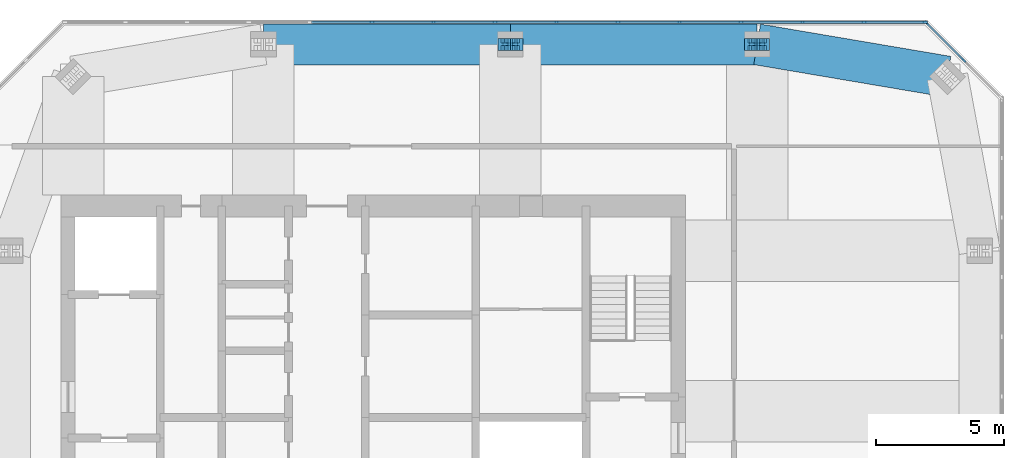
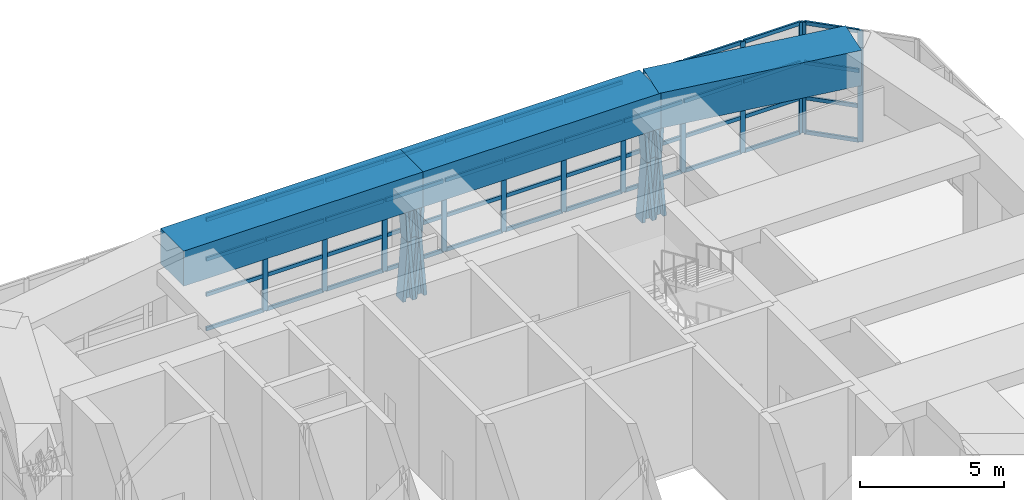
# One storey, part 7 of 14: 64 members, 3 beams, 2 elements without a shape of their own.
"""IFC4 building model written with IfcOpenShell, lengths in metres."""

from ifc_helpers import new_model, si_unit, direction, frame, origin, origin_2d, place, context, subcontext, project, spatial, rectangle, i_section, extrude, material, material_profile, profile_set, type_object, element, aggregate, save


model = new_model("IFC4")

# Units and contexts
model_context = context("Model", 3, precision=1e-05, world=origin(), true_north=direction((0.0, 1.0)))
body_context = subcontext(model_context, "Body", "Model", "MODEL_VIEW")
ifc_project = project(units=[si_unit("LENGTHUNIT", "METRE"), si_unit("AREAUNIT", "SQUARE_METRE"), si_unit("VOLUMEUNIT", "CUBIC_METRE"), si_unit("PLANEANGLEUNIT", "RADIAN"), si_unit("MASSUNIT", "GRAM", prefix="KILO")], contexts=[model_context])

# Site, building, storey
site_placement = place(None, origin())
site = spatial("IfcSite", under=ifc_project, at=site_placement, CompositionType="ELEMENT")
building_placement = place(site_placement, origin())
building = spatial("IfcBuilding", under=site, at=building_placement, Name="Jalousie Tower", CompositionType="ELEMENT")
storey_placement = place(building_placement, frame((0.0, 0.0, 272.75)))
storey = spatial("IfcBuildingStorey", under=building, at=storey_placement, Name="L74", CompositionType="ELEMENT", Elevation=272.75)

# Curtain wall, members
ifc_material_1 = material(Name="Aluminium curtain wall", Category="aluminium")
curtain_wall_type = type_object("IfcCurtainWallType", Name="CROWN LOUVRE WALL", PredefinedType="USERDEFINED", material=ifc_material_1)
curtain_wall_1_placement = place(storey_placement, origin())
curtain_wall_1 = element("IfcCurtainWall", 1, at=curtain_wall_1_placement, inside=storey, type_object=curtain_wall_type, Name="Crown Louvre Wall L74 4", ObjectType="CROWN LOUVRE WALL", PredefinedType="USERDEFINED")
ifc_material_2 = material(Name="Aluminium mullion", Category="aluminium")
ifc_material_profile_1 = material_profile(ifc_material_2, rectangle(XDim=0.080078125, YDim=0.199951171875, at=origin_2d()), Name="MULLION 80x200")
ifc_profile_set_1 = profile_set([ifc_material_profile_1], Name="Aluminium mullion")
member_type_1 = type_object("IfcMemberType", Name="CROWN LOUVRE WALL MULLION", PredefinedType="MULLION", material=ifc_profile_set_1)
member_1_placement = place(storey_placement, frame((54.9306640625, 32.4306640625, 0.0), z_axis=(0.0, 0.0, 1.0), x_axis=(-0.707106781187, -0.707106781187, 0.0)))
member_1 = element("IfcMember", 2, at=member_1_placement, type_object=member_type_1, Name="CW-L mullion 2", PredefinedType="MULLION", context=body_context, shape_type="SweptSolid", body=[
    extrude(rectangle(XDim=0.080078125, YDim=0.199951171875, at=origin_2d()), origin(), (0.0, 0.0, 1.0), 4.719970703125),
])
member_2_placement = place(storey_placement, frame((53.47705078125, 33.88427734375, 0.0), z_axis=(0.0, 0.0, 1.0), x_axis=(-0.707106781187, -0.707106781187, 0.0)))
member_2 = element("IfcMember", 3, at=member_2_placement, type_object=member_type_1, Name="CW-L mullion 3", PredefinedType="MULLION", context=body_context, shape_type="SweptSolid", body=[
    extrude(rectangle(XDim=0.080078125, YDim=0.199951171875, at=origin_2d()), origin(), (0.0, 0.0, 1.0), 4.719970703125),
])

curtain_wall_2_placement = place(storey_placement, origin())
curtain_wall_2 = element("IfcCurtainWall", 4, at=curtain_wall_2_placement, inside=storey, type_object=curtain_wall_type, Name="Crown Louvre Wall L74 5", ObjectType="CROWN LOUVRE WALL", PredefinedType="USERDEFINED")
member_3_placement = place(storey_placement, frame((53.40869140625, 33.91259765625, 0.0), z_axis=(0.0, 0.0, 1.0), x_axis=(0.0, -1.0, 0.0)))
member_3 = element("IfcMember", 5, at=member_3_placement, type_object=member_type_1, Name="CW-L mullion 1", PredefinedType="MULLION", context=body_context, shape_type="SweptSolid", body=[
    extrude(rectangle(XDim=0.080078125, YDim=0.199951171875, at=origin_2d()), origin(), (0.0, 0.0, 1.0), 4.719970703125),
])
member_4_placement = place(storey_placement, frame((51.048828125, 33.91259765625, 0.0), z_axis=(0.0, 0.0, 1.0), x_axis=(0.0, -1.0, 0.0)))
member_4 = element("IfcMember", 6, at=member_4_placement, type_object=member_type_1, Name="CW-L mullion 2", PredefinedType="MULLION", context=body_context, shape_type="SweptSolid", body=[
    extrude(rectangle(XDim=0.080078125, YDim=0.199951171875, at=origin_2d()), origin(), (0.0, 0.0, 1.0), 4.719970703125),
])
member_5_placement = place(storey_placement, frame((48.649169921875, 33.91259765625, 0.0), z_axis=(0.0, 0.0, 1.0), x_axis=(0.0, -1.0, 0.0)))
member_5 = element("IfcMember", 7, at=member_5_placement, type_object=member_type_1, Name="CW-L mullion 3", PredefinedType="MULLION", context=body_context, shape_type="SweptSolid", body=[
    extrude(rectangle(XDim=0.080078125, YDim=0.199951171875, at=origin_2d()), origin(), (0.0, 0.0, 1.0), 4.719970703125),
])
member_6_placement = place(storey_placement, frame((46.249267578125, 33.91259765625, 0.0), z_axis=(0.0, 0.0, 1.0), x_axis=(0.0, -1.0, 0.0)))
member_6 = element("IfcMember", 8, at=member_6_placement, type_object=member_type_1, Name="CW-L mullion 4", PredefinedType="MULLION", context=body_context, shape_type="SweptSolid", body=[
    extrude(rectangle(XDim=0.080078125, YDim=0.199951171875, at=origin_2d()), origin(), (0.0, 0.0, 1.0), 4.719970703125),
])
member_7_placement = place(storey_placement, frame((43.849365234375, 33.91259765625, 0.0), z_axis=(0.0, 0.0, 1.0), x_axis=(0.0, -1.0, 0.0)))
member_7 = element("IfcMember", 9, at=member_7_placement, type_object=member_type_1, Name="CW-L mullion 5", PredefinedType="MULLION", context=body_context, shape_type="SweptSolid", body=[
    extrude(rectangle(XDim=0.080078125, YDim=0.199951171875, at=origin_2d()), origin(), (0.0, 0.0, 1.0), 4.719970703125),
])
member_8_placement = place(storey_placement, frame((41.44970703125, 33.91259765625, 0.0), z_axis=(0.0, 0.0, 1.0), x_axis=(0.0, -1.0, 0.0)))
member_8 = element("IfcMember", 10, at=member_8_placement, type_object=member_type_1, Name="CW-L mullion 6", PredefinedType="MULLION", context=body_context, shape_type="SweptSolid", body=[
    extrude(rectangle(XDim=0.080078125, YDim=0.199951171875, at=origin_2d()), origin(), (0.0, 0.0, 1.0), 4.719970703125),
])
member_9_placement = place(storey_placement, frame((39.0498046875, 33.91259765625, 0.0), z_axis=(0.0, 0.0, 1.0), x_axis=(0.0, -1.0, 0.0)))
member_9 = element("IfcMember", 11, at=member_9_placement, type_object=member_type_1, Name="CW-L mullion 7", PredefinedType="MULLION", context=body_context, shape_type="SweptSolid", body=[
    extrude(rectangle(XDim=0.080078125, YDim=0.199951171875, at=origin_2d()), origin(), (0.0, 0.0, 1.0), 4.719970703125),
])
member_10_placement = place(storey_placement, frame((36.64990234375, 33.91259765625, 0.0), z_axis=(0.0, 0.0, 1.0), x_axis=(0.0, -1.0, 0.0)))
member_10 = element("IfcMember", 12, at=member_10_placement, type_object=member_type_1, Name="CW-L mullion 8", PredefinedType="MULLION", context=body_context, shape_type="SweptSolid", body=[
    extrude(rectangle(XDim=0.080078125, YDim=0.199951171875, at=origin_2d()), origin(), (0.0, 0.0, 1.0), 4.719970703125),
])
member_11_placement = place(storey_placement, frame((34.250244140625, 33.91259765625, 0.0), z_axis=(0.0, 0.0, 1.0), x_axis=(0.0, -1.0, 0.0)))
member_11 = element("IfcMember", 13, at=member_11_placement, type_object=member_type_1, Name="CW-L mullion 9", PredefinedType="MULLION", context=body_context, shape_type="SweptSolid", body=[
    extrude(rectangle(XDim=0.080078125, YDim=0.199951171875, at=origin_2d()), origin(), (0.0, 0.0, 1.0), 4.719970703125),
])
member_12_placement = place(storey_placement, frame((31.850341796875, 33.91259765625, 0.0), z_axis=(0.0, 0.0, 1.0), x_axis=(0.0, -1.0, 0.0)))
member_12 = element("IfcMember", 14, at=member_12_placement, type_object=member_type_1, Name="CW-L mullion 10", PredefinedType="MULLION", context=body_context, shape_type="SweptSolid", body=[
    extrude(rectangle(XDim=0.080078125, YDim=0.199951171875, at=origin_2d()), origin(), (0.0, 0.0, 1.0), 4.719970703125),
])

# Member
ifc_material_3 = material(Name="Aluminium transom", Category="aluminium")
ifc_material_profile_2 = material_profile(ifc_material_3, rectangle(XDim=0.080078125, YDim=0.159912109375, at=origin_2d()), Name="TRANSOM 80x160")
ifc_profile_set_2 = profile_set([ifc_material_profile_2], Name="Aluminium transom")
member_type_2 = type_object("IfcMemberType", Name="CROWN LOUVRE WALL TRANSOM", PredefinedType="USERDEFINED", material=ifc_profile_set_2)
member_13_placement = place(storey_placement, frame((54.90234375, 32.458984375, 0.0400390625), z_axis=(-0.707106781187, 0.707106781187, 0.0), x_axis=(-0.707106781187, -0.707106781187, 0.0)))
member_13 = element("IfcMember", 15, at=member_13_placement, type_object=member_type_2, Name="CW-L transom 2.1", ObjectType="TRANSOM", PredefinedType="USERDEFINED", context=body_context, shape_type="SweptSolid", body=[
    extrude(rectangle(XDim=0.080078125, YDim=0.159912109375, at=origin_2d()), origin(), (0.0, 0.0, 1.0), 1.9755859375),
])

member_14_placement = place(storey_placement, frame((54.90234375, 32.458984375, 1.5), z_axis=(-0.707106781187, 0.707106781187, 0.0), x_axis=(-0.707106781187, -0.707106781187, 0.0)))
member_14 = element("IfcMember", 16, at=member_14_placement, type_object=member_type_2, Name="CW-L transom 2.2", ObjectType="TRANSOM", PredefinedType="USERDEFINED", context=body_context, shape_type="SweptSolid", body=[
    extrude(rectangle(XDim=0.080078125, YDim=0.159912109375, at=origin_2d()), origin(), (0.0, 0.0, 1.0), 1.9755859375),
])

member_15_placement = place(storey_placement, frame((54.90234375, 32.458984375, 3.0), z_axis=(-0.707106781187, 0.707106781187, 0.0), x_axis=(-0.707106781187, -0.707106781187, 0.0)))
member_15 = element("IfcMember", 17, at=member_15_placement, type_object=member_type_2, Name="CW-L transom 2.3", ObjectType="TRANSOM", PredefinedType="USERDEFINED", context=body_context, shape_type="SweptSolid", body=[
    extrude(rectangle(XDim=0.080078125, YDim=0.159912109375, at=origin_2d()), origin(), (0.0, 0.0, 1.0), 1.9755859375),
])

member_16_placement = place(storey_placement, frame((54.90234375, 32.458984375, 4.679931640625), z_axis=(-0.707106781187, 0.707106781187, 0.0), x_axis=(-0.707106781187, -0.707106781187, 0.0)))
member_16 = element("IfcMember", 18, at=member_16_placement, type_object=member_type_2, Name="CW-L transom 2.4", ObjectType="TRANSOM", PredefinedType="USERDEFINED", context=body_context, shape_type="SweptSolid", body=[
    extrude(rectangle(XDim=0.080078125, YDim=0.159912109375, at=origin_2d()), origin(), (0.0, 0.0, 1.0), 1.9755859375),
])

aggregate(curtain_wall_1, [member_1, member_2, member_13, member_14, member_15, member_16])

member_17_placement = place(storey_placement, frame((53.36865234375, 33.91259765625, 0.0400390625), z_axis=(-1.0, 0.0, 0.0), x_axis=(0.0, -1.0, 0.0)))
member_17 = element("IfcMember", 19, at=member_17_placement, type_object=member_type_2, Name="CW-L transom 1.1", ObjectType="TRANSOM", PredefinedType="USERDEFINED", context=body_context, shape_type="SweptSolid", body=[
    extrude(rectangle(XDim=0.080078125, YDim=0.159912109375, at=origin_2d()), origin(), (0.0, 0.0, 1.0), 2.27978515625),
])

member_18_placement = place(storey_placement, frame((53.36865234375, 33.91259765625, 1.5), z_axis=(-1.0, 0.0, 0.0), x_axis=(0.0, -1.0, 0.0)))
member_18 = element("IfcMember", 20, at=member_18_placement, type_object=member_type_2, Name="CW-L transom 1.2", ObjectType="TRANSOM", PredefinedType="USERDEFINED", context=body_context, shape_type="SweptSolid", body=[
    extrude(rectangle(XDim=0.080078125, YDim=0.159912109375, at=origin_2d()), origin(), (0.0, 0.0, 1.0), 2.27978515625),
])

member_19_placement = place(storey_placement, frame((53.36865234375, 33.91259765625, 3.0), z_axis=(-1.0, 0.0, 0.0), x_axis=(0.0, -1.0, 0.0)))
member_19 = element("IfcMember", 21, at=member_19_placement, type_object=member_type_2, Name="CW-L transom 1.3", ObjectType="TRANSOM", PredefinedType="USERDEFINED", context=body_context, shape_type="SweptSolid", body=[
    extrude(rectangle(XDim=0.080078125, YDim=0.159912109375, at=origin_2d()), origin(), (0.0, 0.0, 1.0), 2.27978515625),
])

member_20_placement = place(storey_placement, frame((53.36865234375, 33.91259765625, 4.679931640625), z_axis=(-1.0, 0.0, 0.0), x_axis=(0.0, -1.0, 0.0)))
member_20 = element("IfcMember", 22, at=member_20_placement, type_object=member_type_2, Name="CW-L transom 1.4", ObjectType="TRANSOM", PredefinedType="USERDEFINED", context=body_context, shape_type="SweptSolid", body=[
    extrude(rectangle(XDim=0.080078125, YDim=0.159912109375, at=origin_2d()), origin(), (0.0, 0.0, 1.0), 2.27978515625),
])

member_21_placement = place(storey_placement, frame((51.0087890625, 33.91259765625, 0.0400390625), z_axis=(-1.0, 0.0, 0.0), x_axis=(0.0, -1.0, 0.0)))
member_21 = element("IfcMember", 23, at=member_21_placement, type_object=member_type_2, Name="CW-L transom 2.1", ObjectType="TRANSOM", PredefinedType="USERDEFINED", context=body_context, shape_type="SweptSolid", body=[
    extrude(rectangle(XDim=0.080078125, YDim=0.159912109375, at=origin_2d()), origin(), (0.0, 0.0, 1.0), 2.31982421875),
])

member_22_placement = place(storey_placement, frame((51.0087890625, 33.91259765625, 1.5), z_axis=(-1.0, 0.0, 0.0), x_axis=(0.0, -1.0, 0.0)))
member_22 = element("IfcMember", 24, at=member_22_placement, type_object=member_type_2, Name="CW-L transom 2.2", ObjectType="TRANSOM", PredefinedType="USERDEFINED", context=body_context, shape_type="SweptSolid", body=[
    extrude(rectangle(XDim=0.080078125, YDim=0.159912109375, at=origin_2d()), origin(), (0.0, 0.0, 1.0), 2.31982421875),
])

member_23_placement = place(storey_placement, frame((51.0087890625, 33.91259765625, 3.0), z_axis=(-1.0, 0.0, 0.0), x_axis=(0.0, -1.0, 0.0)))
member_23 = element("IfcMember", 25, at=member_23_placement, type_object=member_type_2, Name="CW-L transom 2.3", ObjectType="TRANSOM", PredefinedType="USERDEFINED", context=body_context, shape_type="SweptSolid", body=[
    extrude(rectangle(XDim=0.080078125, YDim=0.159912109375, at=origin_2d()), origin(), (0.0, 0.0, 1.0), 2.31982421875),
])

member_24_placement = place(storey_placement, frame((51.0087890625, 33.91259765625, 4.679931640625), z_axis=(-1.0, 0.0, 0.0), x_axis=(0.0, -1.0, 0.0)))
member_24 = element("IfcMember", 26, at=member_24_placement, type_object=member_type_2, Name="CW-L transom 2.4", ObjectType="TRANSOM", PredefinedType="USERDEFINED", context=body_context, shape_type="SweptSolid", body=[
    extrude(rectangle(XDim=0.080078125, YDim=0.159912109375, at=origin_2d()), origin(), (0.0, 0.0, 1.0), 2.31982421875),
])

member_25_placement = place(storey_placement, frame((48.609130859375, 33.91259765625, 0.0400390625), z_axis=(-1.0, 0.0, 0.0), x_axis=(0.0, -1.0, 0.0)))
member_25 = element("IfcMember", 27, at=member_25_placement, type_object=member_type_2, Name="CW-L transom 3.1", ObjectType="TRANSOM", PredefinedType="USERDEFINED", context=body_context, shape_type="SweptSolid", body=[
    extrude(rectangle(XDim=0.080078125, YDim=0.159912109375, at=origin_2d()), origin(), (0.0, 0.0, 1.0), 2.31982421875),
])

member_26_placement = place(storey_placement, frame((48.609130859375, 33.91259765625, 1.5), z_axis=(-1.0, 0.0, 0.0), x_axis=(0.0, -1.0, 0.0)))
member_26 = element("IfcMember", 28, at=member_26_placement, type_object=member_type_2, Name="CW-L transom 3.2", ObjectType="TRANSOM", PredefinedType="USERDEFINED", context=body_context, shape_type="SweptSolid", body=[
    extrude(rectangle(XDim=0.080078125, YDim=0.159912109375, at=origin_2d()), origin(), (0.0, 0.0, 1.0), 2.31982421875),
])

member_27_placement = place(storey_placement, frame((48.609130859375, 33.91259765625, 3.0), z_axis=(-1.0, 0.0, 0.0), x_axis=(0.0, -1.0, 0.0)))
member_27 = element("IfcMember", 29, at=member_27_placement, type_object=member_type_2, Name="CW-L transom 3.3", ObjectType="TRANSOM", PredefinedType="USERDEFINED", context=body_context, shape_type="SweptSolid", body=[
    extrude(rectangle(XDim=0.080078125, YDim=0.159912109375, at=origin_2d()), origin(), (0.0, 0.0, 1.0), 2.31982421875),
])

member_28_placement = place(storey_placement, frame((48.609130859375, 33.91259765625, 4.679931640625), z_axis=(-1.0, 0.0, 0.0), x_axis=(0.0, -1.0, 0.0)))
member_28 = element("IfcMember", 30, at=member_28_placement, type_object=member_type_2, Name="CW-L transom 3.4", ObjectType="TRANSOM", PredefinedType="USERDEFINED", context=body_context, shape_type="SweptSolid", body=[
    extrude(rectangle(XDim=0.080078125, YDim=0.159912109375, at=origin_2d()), origin(), (0.0, 0.0, 1.0), 2.31982421875),
])

member_29_placement = place(storey_placement, frame((46.209228515625, 33.91259765625, 0.0400390625), z_axis=(-1.0, 0.0, 0.0), x_axis=(0.0, -1.0, 0.0)))
member_29 = element("IfcMember", 31, at=member_29_placement, type_object=member_type_2, Name="CW-L transom 4.1", ObjectType="TRANSOM", PredefinedType="USERDEFINED", context=body_context, shape_type="SweptSolid", body=[
    extrude(rectangle(XDim=0.080078125, YDim=0.159912109375, at=origin_2d()), origin(), (0.0, 0.0, 1.0), 2.31982421875),
])

member_30_placement = place(storey_placement, frame((46.209228515625, 33.91259765625, 1.5), z_axis=(-1.0, 0.0, 0.0), x_axis=(0.0, -1.0, 0.0)))
member_30 = element("IfcMember", 32, at=member_30_placement, type_object=member_type_2, Name="CW-L transom 4.2", ObjectType="TRANSOM", PredefinedType="USERDEFINED", context=body_context, shape_type="SweptSolid", body=[
    extrude(rectangle(XDim=0.080078125, YDim=0.159912109375, at=origin_2d()), origin(), (0.0, 0.0, 1.0), 2.31982421875),
])

member_31_placement = place(storey_placement, frame((46.209228515625, 33.91259765625, 3.0), z_axis=(-1.0, 0.0, 0.0), x_axis=(0.0, -1.0, 0.0)))
member_31 = element("IfcMember", 33, at=member_31_placement, type_object=member_type_2, Name="CW-L transom 4.3", ObjectType="TRANSOM", PredefinedType="USERDEFINED", context=body_context, shape_type="SweptSolid", body=[
    extrude(rectangle(XDim=0.080078125, YDim=0.159912109375, at=origin_2d()), origin(), (0.0, 0.0, 1.0), 2.31982421875),
])

member_32_placement = place(storey_placement, frame((46.209228515625, 33.91259765625, 4.679931640625), z_axis=(-1.0, 0.0, 0.0), x_axis=(0.0, -1.0, 0.0)))
member_32 = element("IfcMember", 34, at=member_32_placement, type_object=member_type_2, Name="CW-L transom 4.4", ObjectType="TRANSOM", PredefinedType="USERDEFINED", context=body_context, shape_type="SweptSolid", body=[
    extrude(rectangle(XDim=0.080078125, YDim=0.159912109375, at=origin_2d()), origin(), (0.0, 0.0, 1.0), 2.31982421875),
])

member_33_placement = place(storey_placement, frame((43.809326171875, 33.91259765625, 0.0400390625), z_axis=(-1.0, 0.0, 0.0), x_axis=(0.0, -1.0, 0.0)))
member_33 = element("IfcMember", 35, at=member_33_placement, type_object=member_type_2, Name="CW-L transom 5.1", ObjectType="TRANSOM", PredefinedType="USERDEFINED", context=body_context, shape_type="SweptSolid", body=[
    extrude(rectangle(XDim=0.080078125, YDim=0.159912109375, at=origin_2d()), origin(), (0.0, 0.0, 1.0), 2.319580078125),
])

member_34_placement = place(storey_placement, frame((43.809326171875, 33.91259765625, 1.5), z_axis=(-1.0, 0.0, 0.0), x_axis=(0.0, -1.0, 0.0)))
member_34 = element("IfcMember", 36, at=member_34_placement, type_object=member_type_2, Name="CW-L transom 5.2", ObjectType="TRANSOM", PredefinedType="USERDEFINED", context=body_context, shape_type="SweptSolid", body=[
    extrude(rectangle(XDim=0.080078125, YDim=0.159912109375, at=origin_2d()), origin(), (0.0, 0.0, 1.0), 2.319580078125),
])

member_35_placement = place(storey_placement, frame((43.809326171875, 33.91259765625, 3.0), z_axis=(-1.0, 0.0, 0.0), x_axis=(0.0, -1.0, 0.0)))
member_35 = element("IfcMember", 37, at=member_35_placement, type_object=member_type_2, Name="CW-L transom 5.3", ObjectType="TRANSOM", PredefinedType="USERDEFINED", context=body_context, shape_type="SweptSolid", body=[
    extrude(rectangle(XDim=0.080078125, YDim=0.159912109375, at=origin_2d()), origin(), (0.0, 0.0, 1.0), 2.319580078125),
])

member_36_placement = place(storey_placement, frame((43.809326171875, 33.91259765625, 4.679931640625), z_axis=(-1.0, 0.0, 0.0), x_axis=(0.0, -1.0, 0.0)))
member_36 = element("IfcMember", 38, at=member_36_placement, type_object=member_type_2, Name="CW-L transom 5.4", ObjectType="TRANSOM", PredefinedType="USERDEFINED", context=body_context, shape_type="SweptSolid", body=[
    extrude(rectangle(XDim=0.080078125, YDim=0.159912109375, at=origin_2d()), origin(), (0.0, 0.0, 1.0), 2.319580078125),
])

member_37_placement = place(storey_placement, frame((41.40966796875, 33.91259765625, 0.0400390625), z_axis=(-1.0, 0.0, 0.0), x_axis=(0.0, -1.0, 0.0)))
member_37 = element("IfcMember", 39, at=member_37_placement, type_object=member_type_2, Name="CW-L transom 6.1", ObjectType="TRANSOM", PredefinedType="USERDEFINED", context=body_context, shape_type="SweptSolid", body=[
    extrude(rectangle(XDim=0.080078125, YDim=0.159912109375, at=origin_2d()), origin(), (0.0, 0.0, 1.0), 2.31982421875),
])

member_38_placement = place(storey_placement, frame((41.40966796875, 33.91259765625, 1.5), z_axis=(-1.0, 0.0, 0.0), x_axis=(0.0, -1.0, 0.0)))
member_38 = element("IfcMember", 40, at=member_38_placement, type_object=member_type_2, Name="CW-L transom 6.2", ObjectType="TRANSOM", PredefinedType="USERDEFINED", context=body_context, shape_type="SweptSolid", body=[
    extrude(rectangle(XDim=0.080078125, YDim=0.159912109375, at=origin_2d()), origin(), (0.0, 0.0, 1.0), 2.31982421875),
])

member_39_placement = place(storey_placement, frame((41.40966796875, 33.91259765625, 3.0), z_axis=(-1.0, 0.0, 0.0), x_axis=(0.0, -1.0, 0.0)))
member_39 = element("IfcMember", 41, at=member_39_placement, type_object=member_type_2, Name="CW-L transom 6.3", ObjectType="TRANSOM", PredefinedType="USERDEFINED", context=body_context, shape_type="SweptSolid", body=[
    extrude(rectangle(XDim=0.080078125, YDim=0.159912109375, at=origin_2d()), origin(), (0.0, 0.0, 1.0), 2.31982421875),
])

member_40_placement = place(storey_placement, frame((41.40966796875, 33.91259765625, 4.679931640625), z_axis=(-1.0, 0.0, 0.0), x_axis=(0.0, -1.0, 0.0)))
member_40 = element("IfcMember", 42, at=member_40_placement, type_object=member_type_2, Name="CW-L transom 6.4", ObjectType="TRANSOM", PredefinedType="USERDEFINED", context=body_context, shape_type="SweptSolid", body=[
    extrude(rectangle(XDim=0.080078125, YDim=0.159912109375, at=origin_2d()), origin(), (0.0, 0.0, 1.0), 2.31982421875),
])

member_41_placement = place(storey_placement, frame((39.009765625, 33.91259765625, 0.0400390625), z_axis=(-1.0, 0.0, 0.0), x_axis=(0.0, -1.0, 0.0)))
member_41 = element("IfcMember", 43, at=member_41_placement, type_object=member_type_2, Name="CW-L transom 7.1", ObjectType="TRANSOM", PredefinedType="USERDEFINED", context=body_context, shape_type="SweptSolid", body=[
    extrude(rectangle(XDim=0.080078125, YDim=0.159912109375, at=origin_2d()), origin(), (0.0, 0.0, 1.0), 2.31982421875),
])

member_42_placement = place(storey_placement, frame((39.009765625, 33.91259765625, 1.5), z_axis=(-1.0, 0.0, 0.0), x_axis=(0.0, -1.0, 0.0)))
member_42 = element("IfcMember", 44, at=member_42_placement, type_object=member_type_2, Name="CW-L transom 7.2", ObjectType="TRANSOM", PredefinedType="USERDEFINED", context=body_context, shape_type="SweptSolid", body=[
    extrude(rectangle(XDim=0.080078125, YDim=0.159912109375, at=origin_2d()), origin(), (0.0, 0.0, 1.0), 2.31982421875),
])

member_43_placement = place(storey_placement, frame((39.009765625, 33.91259765625, 3.0), z_axis=(-1.0, 0.0, 0.0), x_axis=(0.0, -1.0, 0.0)))
member_43 = element("IfcMember", 45, at=member_43_placement, type_object=member_type_2, Name="CW-L transom 7.3", ObjectType="TRANSOM", PredefinedType="USERDEFINED", context=body_context, shape_type="SweptSolid", body=[
    extrude(rectangle(XDim=0.080078125, YDim=0.159912109375, at=origin_2d()), origin(), (0.0, 0.0, 1.0), 2.31982421875),
])

member_44_placement = place(storey_placement, frame((39.009765625, 33.91259765625, 4.679931640625), z_axis=(-1.0, 0.0, 0.0), x_axis=(0.0, -1.0, 0.0)))
member_44 = element("IfcMember", 46, at=member_44_placement, type_object=member_type_2, Name="CW-L transom 7.4", ObjectType="TRANSOM", PredefinedType="USERDEFINED", context=body_context, shape_type="SweptSolid", body=[
    extrude(rectangle(XDim=0.080078125, YDim=0.159912109375, at=origin_2d()), origin(), (0.0, 0.0, 1.0), 2.31982421875),
])

member_45_placement = place(storey_placement, frame((36.610107421875, 33.91259765625, 0.0400390625), z_axis=(-1.0, 0.0, 0.0), x_axis=(0.0, -1.0, 0.0)))
member_45 = element("IfcMember", 47, at=member_45_placement, type_object=member_type_2, Name="CW-L transom 8.1", ObjectType="TRANSOM", PredefinedType="USERDEFINED", context=body_context, shape_type="SweptSolid", body=[
    extrude(rectangle(XDim=0.080078125, YDim=0.159912109375, at=origin_2d()), origin(), (0.0, 0.0, 1.0), 2.31982421875),
])

member_46_placement = place(storey_placement, frame((36.610107421875, 33.91259765625, 1.5), z_axis=(-1.0, 0.0, 0.0), x_axis=(0.0, -1.0, 0.0)))
member_46 = element("IfcMember", 48, at=member_46_placement, type_object=member_type_2, Name="CW-L transom 8.2", ObjectType="TRANSOM", PredefinedType="USERDEFINED", context=body_context, shape_type="SweptSolid", body=[
    extrude(rectangle(XDim=0.080078125, YDim=0.159912109375, at=origin_2d()), origin(), (0.0, 0.0, 1.0), 2.31982421875),
])

member_47_placement = place(storey_placement, frame((36.610107421875, 33.91259765625, 3.0), z_axis=(-1.0, 0.0, 0.0), x_axis=(0.0, -1.0, 0.0)))
member_47 = element("IfcMember", 49, at=member_47_placement, type_object=member_type_2, Name="CW-L transom 8.3", ObjectType="TRANSOM", PredefinedType="USERDEFINED", context=body_context, shape_type="SweptSolid", body=[
    extrude(rectangle(XDim=0.080078125, YDim=0.159912109375, at=origin_2d()), origin(), (0.0, 0.0, 1.0), 2.31982421875),
])

member_48_placement = place(storey_placement, frame((36.610107421875, 33.91259765625, 4.679931640625), z_axis=(-1.0, 0.0, 0.0), x_axis=(0.0, -1.0, 0.0)))
member_48 = element("IfcMember", 50, at=member_48_placement, type_object=member_type_2, Name="CW-L transom 8.4", ObjectType="TRANSOM", PredefinedType="USERDEFINED", context=body_context, shape_type="SweptSolid", body=[
    extrude(rectangle(XDim=0.080078125, YDim=0.159912109375, at=origin_2d()), origin(), (0.0, 0.0, 1.0), 2.31982421875),
])

member_49_placement = place(storey_placement, frame((34.210205078125, 33.91259765625, 0.0400390625), z_axis=(-1.0, 0.0, 0.0), x_axis=(0.0, -1.0, 0.0)))
member_49 = element("IfcMember", 51, at=member_49_placement, type_object=member_type_2, Name="CW-L transom 9.1", ObjectType="TRANSOM", PredefinedType="USERDEFINED", context=body_context, shape_type="SweptSolid", body=[
    extrude(rectangle(XDim=0.080078125, YDim=0.159912109375, at=origin_2d()), origin(), (0.0, 0.0, 1.0), 2.31982421875),
])

member_50_placement = place(storey_placement, frame((34.210205078125, 33.91259765625, 1.5), z_axis=(-1.0, 0.0, 0.0), x_axis=(0.0, -1.0, 0.0)))
member_50 = element("IfcMember", 52, at=member_50_placement, type_object=member_type_2, Name="CW-L transom 9.2", ObjectType="TRANSOM", PredefinedType="USERDEFINED", context=body_context, shape_type="SweptSolid", body=[
    extrude(rectangle(XDim=0.080078125, YDim=0.159912109375, at=origin_2d()), origin(), (0.0, 0.0, 1.0), 2.31982421875),
])

member_51_placement = place(storey_placement, frame((34.210205078125, 33.91259765625, 3.0), z_axis=(-1.0, 0.0, 0.0), x_axis=(0.0, -1.0, 0.0)))
member_51 = element("IfcMember", 53, at=member_51_placement, type_object=member_type_2, Name="CW-L transom 9.3", ObjectType="TRANSOM", PredefinedType="USERDEFINED", context=body_context, shape_type="SweptSolid", body=[
    extrude(rectangle(XDim=0.080078125, YDim=0.159912109375, at=origin_2d()), origin(), (0.0, 0.0, 1.0), 2.31982421875),
])

member_52_placement = place(storey_placement, frame((34.210205078125, 33.91259765625, 4.679931640625), z_axis=(-1.0, 0.0, 0.0), x_axis=(0.0, -1.0, 0.0)))
member_52 = element("IfcMember", 54, at=member_52_placement, type_object=member_type_2, Name="CW-L transom 9.4", ObjectType="TRANSOM", PredefinedType="USERDEFINED", context=body_context, shape_type="SweptSolid", body=[
    extrude(rectangle(XDim=0.080078125, YDim=0.159912109375, at=origin_2d()), origin(), (0.0, 0.0, 1.0), 2.31982421875),
])

member_53_placement = place(storey_placement, frame((31.810302734375, 33.91259765625, 0.0400390625), z_axis=(-1.0, 0.0, 0.0), x_axis=(0.0, -1.0, 0.0)))
member_53 = element("IfcMember", 55, at=member_53_placement, type_object=member_type_2, Name="CW-L transom 10.1", ObjectType="TRANSOM", PredefinedType="USERDEFINED", context=body_context, shape_type="SweptSolid", body=[
    extrude(rectangle(XDim=0.080078125, YDim=0.159912109375, at=origin_2d()), origin(), (0.0, 0.0, 1.0), 2.31982421875),
])

member_54_placement = place(storey_placement, frame((31.810302734375, 33.91259765625, 1.5), z_axis=(-1.0, 0.0, 0.0), x_axis=(0.0, -1.0, 0.0)))
member_54 = element("IfcMember", 56, at=member_54_placement, type_object=member_type_2, Name="CW-L transom 10.2", ObjectType="TRANSOM", PredefinedType="USERDEFINED", context=body_context, shape_type="SweptSolid", body=[
    extrude(rectangle(XDim=0.080078125, YDim=0.159912109375, at=origin_2d()), origin(), (0.0, 0.0, 1.0), 2.31982421875),
])

member_55_placement = place(storey_placement, frame((31.810302734375, 33.91259765625, 3.0), z_axis=(-1.0, 0.0, 0.0), x_axis=(0.0, -1.0, 0.0)))
member_55 = element("IfcMember", 57, at=member_55_placement, type_object=member_type_2, Name="CW-L transom 10.3", ObjectType="TRANSOM", PredefinedType="USERDEFINED", context=body_context, shape_type="SweptSolid", body=[
    extrude(rectangle(XDim=0.080078125, YDim=0.159912109375, at=origin_2d()), origin(), (0.0, 0.0, 1.0), 2.31982421875),
])

member_56_placement = place(storey_placement, frame((31.810302734375, 33.91259765625, 4.679931640625), z_axis=(-1.0, 0.0, 0.0), x_axis=(0.0, -1.0, 0.0)))
member_56 = element("IfcMember", 58, at=member_56_placement, type_object=member_type_2, Name="CW-L transom 10.4", ObjectType="TRANSOM", PredefinedType="USERDEFINED", context=body_context, shape_type="SweptSolid", body=[
    extrude(rectangle(XDim=0.080078125, YDim=0.159912109375, at=origin_2d()), origin(), (0.0, 0.0, 1.0), 2.31982421875),
])

aggregate(curtain_wall_2, [member_3, member_4, member_5, member_6, member_7, member_8, member_9, member_10, member_11, member_12, member_17, member_18, member_19, member_20, member_21, member_22, member_23, member_24, member_25, member_26, member_27, member_28, member_29, member_30, member_31, member_32, member_33, member_34, member_35, member_36, member_37, member_38, member_39, member_40, member_41, member_42, member_43, member_44, member_45, member_46, member_47, member_48, member_49, member_50, member_51, member_52, member_53, member_54, member_55, member_56])

# Members
ifc_material_4 = material(Name="Steel ASTM A992 Grade 50", Category="steel")
ifc_material_profile_3 = material_profile(ifc_material_4, i_section(OverallWidth=0.472412109375, OverallDepth=0.5791015625, WebThickness=0.094970703125, FlangeThickness=0.1298828125, at=origin_2d()), Name="W14X808")
ifc_profile_set_3 = profile_set([ifc_material_profile_3], Name="Steel ASTM A992 Grade 50")
member_type_3 = type_object("IfcMemberType", Name="PERIMETER BRACE W14X808", PredefinedType="BRACE", material=ifc_profile_set_3)
for number, where, z_axis, x_axis, name in (
    (59, (46.675048828125, 33.050048828125, -0.75), (0.079725876999, 0.0, 0.99681682597), (0.0, 1.0, 0.0), "Perimeter brace 09 L74 part 1"),
    (60, (46.875, 33.050048828125, 1.75), (0.079725876999, 0.0, 0.99681682597), (0.0, 1.0, 0.0), "Perimeter brace 09 L74 part 2"),
    (61, (47.074951171875, 33.050048828125, -0.75), (-0.079725876999, 0.0, 0.99681682597), (0.0, -1.0, 0.0), "Perimeter brace 09 L74 part 3"),
    (62, (46.875, 33.050048828125, 1.75), (-0.079725876999, 0.0, 0.99681682597), (0.0, -1.0, 0.0), "Perimeter brace 09 L74 part 4"),
    (63, (37.050048828125, 33.050048828125, -0.75), (0.079725876999, 0.0, 0.99681682597), (0.0, 1.0, 0.0), "Perimeter brace 10 L74 part 1"),
    (64, (37.25, 33.050048828125, 1.75), (0.079725876999, 0.0, 0.99681682597), (0.0, 1.0, 0.0), "Perimeter brace 10 L74 part 2"),
    (65, (37.449951171875, 33.050048828125, -0.75), (-0.079725876999, 0.0, 0.99681682597), (0.0, -1.0, 0.0), "Perimeter brace 10 L74 part 3"),
    (66, (37.25, 33.050048828125, 1.75), (-0.079725876999, 0.0, 0.99681682597), (0.0, -1.0, 0.0), "Perimeter brace 10 L74 part 4"),
):
    element("IfcMember", number, at=place(storey_placement, frame(where, z_axis=z_axis, x_axis=x_axis)), inside=storey, type_object=member_type_3, Name=name, PredefinedType="BRACE", context=body_context, shape_type="SweptSolid", body=[
        extrude(i_section(OverallWidth=0.472412109375, OverallDepth=0.5791015625, WebThickness=0.094970703125, FlangeThickness=0.1298828125, at=origin_2d()), origin(), (0.0, 0.0, 1.0), 2.508056640625),
    ])

# Beams
ifc_material_5 = material(Name="Concrete f'c 40 MPa", Category="concrete")
ifc_material_profile_4 = material_profile(ifc_material_5, rectangle(XDim=1.60009765625, YDim=1.5, at=origin_2d()), Name="RC 1600x1500")
ifc_profile_set_4 = profile_set([ifc_material_profile_4], Name="Concrete f'c 40 MPa")
beam_type = type_object("IfcBeamType", Name="RC BEAM 1600x1500", PredefinedType="BEAM", material=ifc_profile_set_4)
beam_placement = place(storey_placement, frame((54.29296875, 31.79296875, 4.25), z_axis=(-0.985942997446, 0.167082033105, 0.0), x_axis=(-0.167082033105, -0.985942997446, 0.0)))
element("IfcBeam", 67, at=beam_placement, inside=storey, type_object=beam_type, Name="Edge band beam 08-09 under RF", PredefinedType="BEAM", context=body_context, shape_type="SweptSolid", body=[
    extrude(rectangle(XDim=1.60009765625, YDim=1.5, at=origin_2d()), origin(), (0.0, 0.0, 1.0), 7.523681640625),
])
for number, where, z_axis, x_axis, name in (
    (68, (46.875, 33.050048828125, 4.25), (-1.0, 0.0, 0.0), (0.0, -1.0, 0.0), "Edge band beam 09-10 under RF"),
    (69, (37.25, 33.050048828125, 4.25), (-1.0, 0.0, 0.0), (0.0, -1.0, 0.0), "Edge band beam 10-11 under RF"),
):
    element("IfcBeam", number, at=place(storey_placement, frame(where, z_axis=z_axis, x_axis=x_axis)), inside=storey, type_object=beam_type, Name=name, PredefinedType="BEAM", context=body_context, shape_type="SweptSolid", body=[
        extrude(rectangle(XDim=1.60009765625, YDim=1.5, at=origin_2d()), origin(), (0.0, 0.0, 1.0), 9.625),
    ])

save(model, "model.ifc")
